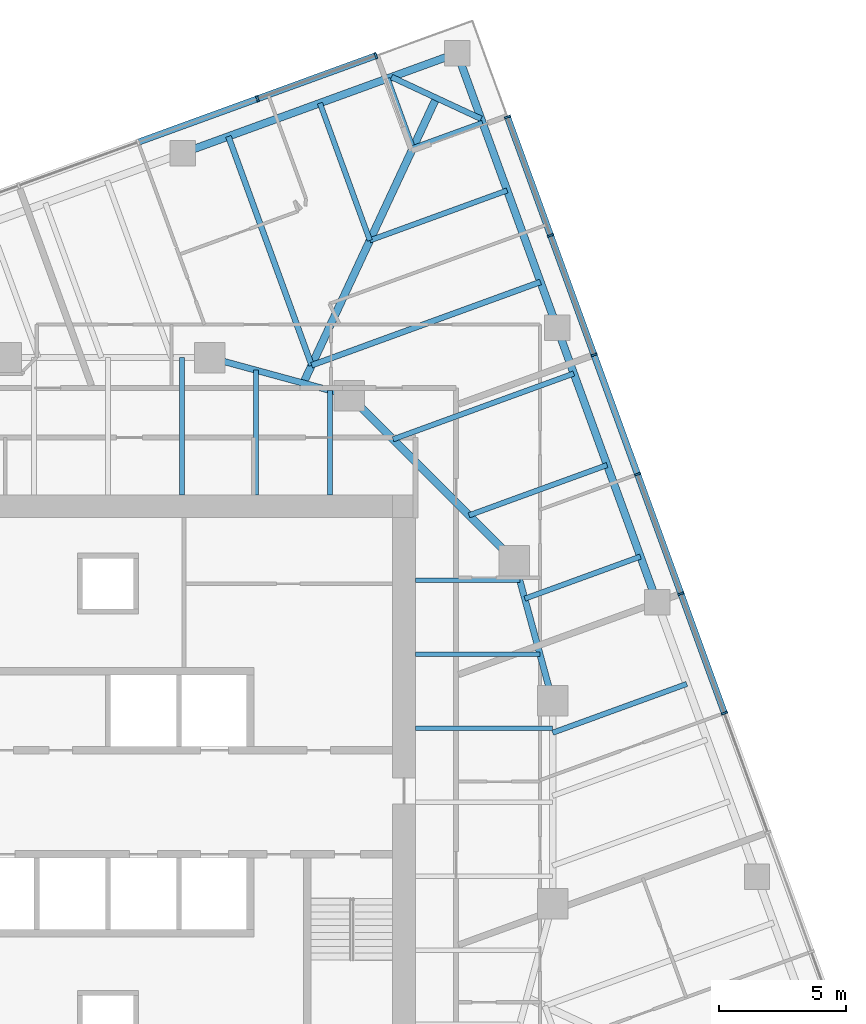
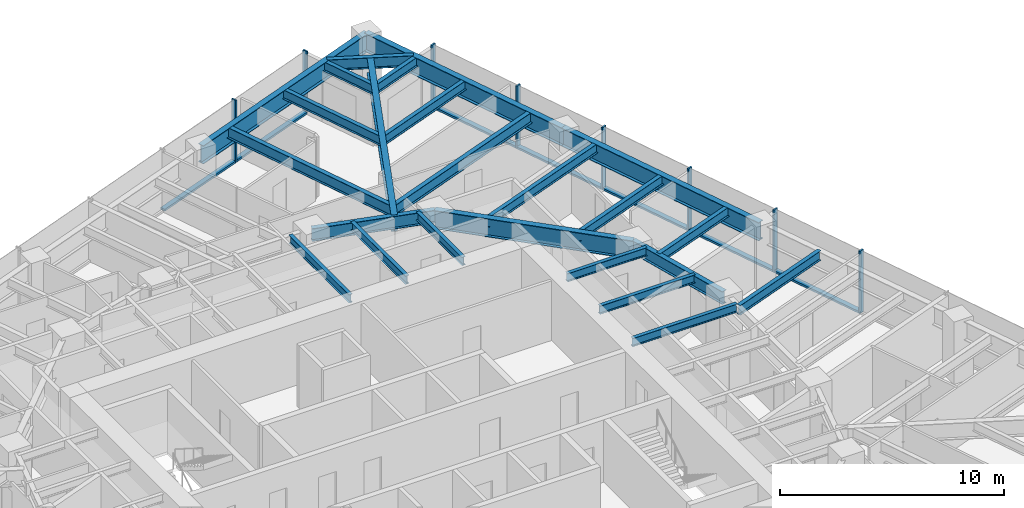
# One storey, part 5 of 13: 24 beams, 15 members, 2 elements without a shape of their own.
"""IFC4 building model written with IfcOpenShell, lengths in metres."""

from ifc_helpers import new_model, si_unit, direction, frame, origin, origin_2d, place, context, subcontext, project, spatial, rectangle, i_section, extrude, material, material_profile, profile_set, type_object, element, aggregate, save


model = new_model("IFC4")

# Units and contexts
model_context = context("Model", 3, precision=1e-05, world=origin(), true_north=direction((0.0, 1.0)))
body_context = subcontext(model_context, "Body", "Model", "MODEL_VIEW")
ifc_project = project(units=[si_unit("LENGTHUNIT", "METRE"), si_unit("AREAUNIT", "SQUARE_METRE"), si_unit("VOLUMEUNIT", "CUBIC_METRE"), si_unit("PLANEANGLEUNIT", "RADIAN"), si_unit("MASSUNIT", "GRAM", prefix="KILO")], contexts=[model_context])

# Site, building, storey
site_placement = place(None, origin())
site = spatial("IfcSite", under=ifc_project, at=site_placement, CompositionType="ELEMENT")
building_placement = place(site_placement, origin())
building = spatial("IfcBuilding", under=site, at=building_placement, Name="Torsade Residences", CompositionType="ELEMENT")
storey_placement = place(building_placement, frame((0.0, 0.0, 143.800048828125)))
storey = spatial("IfcBuildingStorey", under=building, at=storey_placement, Name="L39", CompositionType="ELEMENT", Elevation=143.800048828125)

# Beams
ifc_material_1 = material(Name="Steel grade 300", Category="steel")
ifc_material_profile_1 = material_profile(ifc_material_1, i_section(OverallWidth=0.300048828125, OverallDepth=0.89990234375, WebThickness=0.011962890625, FlangeThickness=0.02490234375, at=origin_2d()), Name="900WB175")
ifc_profile_set_1 = profile_set([ifc_material_profile_1], Name="Steel grade 300")
beam_type_1 = type_object("IfcBeamType", Name="CORNER GIRDER 900WB175", PredefinedType="BEAM", material=ifc_profile_set_1)
beam_1_placement = place(storey_placement, frame((52.924560546875, 57.717041015625, 2.800048828125), z_axis=(-0.422616712682, -0.906308509373, 0.0), x_axis=(0.906308509373, -0.422616712682, 0.0)))
element("IfcBeam", 1, at=beam_1_placement, inside=storey, type_object=beam_type_1, Name="Corner girder 09 L40", PredefinedType="BEAM", context=body_context, shape_type="SweptSolid", body=[
    extrude(i_section(OverallWidth=0.300048828125, OverallDepth=0.89990234375, WebThickness=0.011962890625, FlangeThickness=0.02490234375, at=origin_2d()), origin(), (0.0, 0.0, 1.0), 12.3837890625),
])
ifc_material_2 = material(Name="Steel grade 300", Category="steel")
ifc_material_profile_2 = material_profile(ifc_material_2, i_section(OverallWidth=0.22802734375, OverallDepth=0.60205078125, WebThickness=0.010498046875, FlangeThickness=0.014892578125, FilletRadius=0.013916015625, at=origin_2d()), Name="610UB101")
ifc_profile_set_2 = profile_set([ifc_material_profile_2], Name="Steel grade 300")
beam_type_2 = type_object("IfcBeamType", Name="CORNER TRIMMER 610UB101", PredefinedType="BEAM", material=ifc_profile_set_2)
beam_2_placement = place(storey_placement, frame((51.162353515625, 58.538818359375, 2.948974609375), z_axis=(0.906309798645, -0.422613947806, 0.0), x_axis=(0.422613947806, 0.906309798645, 0.0)))
element("IfcBeam", 2, at=beam_2_placement, inside=storey, type_object=beam_type_2, Name="Corner trimmer 09 L40", PredefinedType="BEAM", context=body_context, shape_type="SweptSolid", body=[
    extrude(i_section(OverallWidth=0.22802734375, OverallDepth=0.60205078125, WebThickness=0.010498046875, FlangeThickness=0.014892578125, FilletRadius=0.013916015625, at=origin_2d()), origin(), (0.0, 0.0, 1.0), 3.888916015625),
])
ifc_material_3 = material(Name="Steel grade 300", Category="steel")
ifc_material_profile_3 = material_profile(ifc_material_3, i_section(OverallWidth=0.300048828125, OverallDepth=1.0, WebThickness=0.01611328125, FlangeThickness=0.028076171875, at=origin_2d()), Name="1000WB215")
ifc_profile_set_3 = profile_set([ifc_material_profile_3], Name="Steel grade 300")
beam_type_3 = type_object("IfcBeamType", Name="EDGE BEAM 1000WB215", PredefinedType="SPANDREL", material=ifc_profile_set_3)
for number, where, z_axis, x_axis, name in (
    (3, (61.613037109375, 37.866455078125, 2.75), (-0.342031119628, 0.939688625666, 0.0), (-0.939688625666, -0.342031119628, 0.0), "Edge beam 07 L40"),
    (4, (57.6796875, 48.6728515625, 2.75), (-0.342005550448, 0.939697932031, 0.0), (-0.939697932031, -0.342005550448, 0.0), "Edge beam 08 L40"),
):
    element("IfcBeam", number, at=place(storey_placement, frame(where, z_axis=z_axis, x_axis=x_axis)), inside=storey, type_object=beam_type_3, Name=name, PredefinedType="SPANDREL", context=body_context, shape_type="SweptSolid", body=[
        extrude(i_section(OverallWidth=0.300048828125, OverallDepth=1.0, WebThickness=0.01611328125, FlangeThickness=0.028076171875, at=origin_2d()), origin(), (0.0, 0.0, 1.0), 11.5),
    ])
beam_3_placement = place(storey_placement, frame((53.74658203125, 59.4794921875, 2.75), z_axis=(-0.93969110915, -0.342024296483, 0.0), x_axis=(0.342024296483, -0.93969110915, 0.0)))
element("IfcBeam", 5, at=beam_3_placement, inside=storey, type_object=beam_type_3, Name="Edge beam 09 L40", PredefinedType="SPANDREL", context=body_context, shape_type="SweptSolid", body=[
    extrude(i_section(OverallWidth=0.300048828125, OverallDepth=1.0, WebThickness=0.01611328125, FlangeThickness=0.028076171875, at=origin_2d()), origin(), (0.0, 0.0, 1.0), 11.500244140625),
])
ifc_material_4 = material(Name="Steel grade 300", Category="steel")
ifc_material_profile_4 = material_profile(ifc_material_4, i_section(OverallWidth=0.18994140625, OverallDepth=0.4541015625, WebThickness=0.008544921875, FlangeThickness=0.0126953125, FilletRadius=0.011474609375, at=origin_2d()), Name="460UB67.1")
ifc_profile_set_4 = profile_set([ifc_material_profile_4], Name="Steel grade 300")
beam_type_4 = type_object("IfcBeamType", Name="INNER FLOOR BEAM 460UB67.1", PredefinedType="JOIST", material=ifc_profile_set_4)
beam_4_placement = place(storey_placement, frame((42.91259765625, 42.10009765625, 3.02294921875), z_axis=(0.0, 1.0, 0.0), x_axis=(-1.0, 0.0, 0.0)))
element("IfcBeam", 6, at=beam_4_placement, inside=storey, type_object=beam_type_4, Name="Inner floor beam IN05 L40", PredefinedType="JOIST", context=body_context, shape_type="SweptSolid", body=[
    extrude(i_section(OverallWidth=0.18994140625, OverallDepth=0.4541015625, WebThickness=0.008544921875, FlangeThickness=0.0126953125, FilletRadius=0.011474609375, at=origin_2d()), origin(), (0.0, 0.0, 1.0), 5.39990234375),
])
beam_5_placement = place(storey_placement, frame((45.824951171875, 42.10009765625, 3.02294921875), z_axis=(0.0, 1.0, 0.0), x_axis=(-1.0, 0.0, 0.0)))
element("IfcBeam", 7, at=beam_5_placement, inside=storey, type_object=beam_type_4, Name="Inner floor beam IN06 L40", PredefinedType="JOIST", context=body_context, shape_type="SweptSolid", body=[
    extrude(i_section(OverallWidth=0.18994140625, OverallDepth=0.4541015625, WebThickness=0.008544921875, FlangeThickness=0.0126953125, FilletRadius=0.011474609375, at=origin_2d()), origin(), (0.0, 0.0, 1.0), 4.902099609375),
])
beam_6_placement = place(storey_placement, frame((48.737548828125, 42.10009765625, 3.02294921875), z_axis=(0.0, 1.0, 0.0), x_axis=(-1.0, 0.0, 0.0)))
element("IfcBeam", 8, at=beam_6_placement, inside=storey, type_object=beam_type_4, Name="Inner floor beam IN07 L40", PredefinedType="JOIST", context=body_context, shape_type="SweptSolid", body=[
    extrude(i_section(OverallWidth=0.18994140625, OverallDepth=0.4541015625, WebThickness=0.008544921875, FlangeThickness=0.0126953125, FilletRadius=0.011474609375, at=origin_2d()), origin(), (0.0, 0.0, 1.0), 4.10791015625),
])
beam_7_placement = place(storey_placement, frame((52.10009765625, 32.91259765625, 3.02294921875), z_axis=(1.0, 0.0, 0.0), x_axis=(0.0, 1.0, 0.0)))
element("IfcBeam", 9, at=beam_7_placement, inside=storey, type_object=beam_type_4, Name="Inner floor beam IE05 L40", PredefinedType="JOIST", context=body_context, shape_type="SweptSolid", body=[
    extrude(i_section(OverallWidth=0.18994140625, OverallDepth=0.4541015625, WebThickness=0.008544921875, FlangeThickness=0.0126953125, FilletRadius=0.011474609375, at=origin_2d()), origin(), (0.0, 0.0, 1.0), 5.39990234375),
])
beam_8_placement = place(storey_placement, frame((52.10009765625, 35.824951171875, 3.02294921875), z_axis=(1.0, 0.0, 0.0), x_axis=(0.0, 1.0, 0.0)))
element("IfcBeam", 10, at=beam_8_placement, inside=storey, type_object=beam_type_4, Name="Inner floor beam IE06 L40", PredefinedType="JOIST", context=body_context, shape_type="SweptSolid", body=[
    extrude(i_section(OverallWidth=0.18994140625, OverallDepth=0.4541015625, WebThickness=0.008544921875, FlangeThickness=0.0126953125, FilletRadius=0.011474609375, at=origin_2d()), origin(), (0.0, 0.0, 1.0), 4.902099609375),
])
beam_9_placement = place(storey_placement, frame((52.10009765625, 38.737548828125, 3.02294921875), z_axis=(1.0, 0.0, 0.0), x_axis=(0.0, 1.0, 0.0)))
element("IfcBeam", 11, at=beam_9_placement, inside=storey, type_object=beam_type_4, Name="Inner floor beam IE07 L40", PredefinedType="JOIST", context=body_context, shape_type="SweptSolid", body=[
    extrude(i_section(OverallWidth=0.18994140625, OverallDepth=0.4541015625, WebThickness=0.008544921875, FlangeThickness=0.0126953125, FilletRadius=0.011474609375, at=origin_2d()), origin(), (0.0, 0.0, 1.0), 4.10791015625),
])

# Curtain wall, members
ifc_material_5 = material(Name="Aluminium and glass", Category="aluminium")
curtain_wall_type = type_object("IfcCurtainWallType", Name="FRITTED GLASS CURTAIN WALL MID ZONE", PredefinedType="NOTDEFINED", material=ifc_material_5)
curtain_wall_1_placement = place(storey_placement, origin())
curtain_wall_1 = element("IfcCurtainWall", 12, at=curtain_wall_1_placement, inside=storey, type_object=curtain_wall_type, Name="Curtain wall L39 face 4", PredefinedType="NOTDEFINED")
ifc_material_6 = material(Name="Aluminium mullion", Category="aluminium")
ifc_material_profile_5 = material_profile(ifc_material_6, rectangle(XDim=0.25, YDim=0.080078125, at=origin_2d()), Name="MID ZONE CURTAIN WALL MULLION 250x80")
ifc_profile_set_5 = profile_set([ifc_material_profile_5], Name="Aluminium mullion")
member_type_1 = type_object("IfcMemberType", Name="MID ZONE CURTAIN WALL MULLION 250x80", PredefinedType="MULLION", material=ifc_profile_set_5)
member_1_placement = place(storey_placement, frame((64.2626953125, 33.510009765625, 0.0), z_axis=(0.0, 0.0, 1.0), x_axis=(-0.939692619132, -0.342020147869, 0.0)))
member_1 = element("IfcMember", 13, at=member_1_placement, type_object=member_type_1, Name="Mullion 4", PredefinedType="MULLION", context=body_context, shape_type="SweptSolid", body=[
    extrude(rectangle(XDim=0.25, YDim=0.080078125, at=origin_2d()), origin(), (0.0, 0.0, 1.0), 3.39990234375),
])
member_2_placement = place(storey_placement, frame((62.552734375, 38.20849609375, 0.0), z_axis=(0.0, 0.0, 1.0), x_axis=(-0.939692619132, -0.342020147869, 0.0)))
member_2 = element("IfcMember", 14, at=member_2_placement, type_object=member_type_1, Name="Mullion 5", PredefinedType="MULLION", context=body_context, shape_type="SweptSolid", body=[
    extrude(rectangle(XDim=0.25, YDim=0.080078125, at=origin_2d()), origin(), (0.0, 0.0, 1.0), 3.39990234375),
])
member_3_placement = place(storey_placement, frame((60.842529296875, 42.906982421875, 0.0), z_axis=(0.0, 0.0, 1.0), x_axis=(-0.939692619132, -0.342020147869, 0.0)))
member_3 = element("IfcMember", 15, at=member_3_placement, type_object=member_type_1, Name="Mullion 6", PredefinedType="MULLION", context=body_context, shape_type="SweptSolid", body=[
    extrude(rectangle(XDim=0.25, YDim=0.080078125, at=origin_2d()), origin(), (0.0, 0.0, 1.0), 3.39990234375),
])
member_4_placement = place(storey_placement, frame((59.13232421875, 47.60546875, 0.0), z_axis=(0.0, 0.0, 1.0), x_axis=(-0.939692619132, -0.342020147869, 0.0)))
member_4 = element("IfcMember", 16, at=member_4_placement, type_object=member_type_1, Name="Mullion 7", PredefinedType="MULLION", context=body_context, shape_type="SweptSolid", body=[
    extrude(rectangle(XDim=0.25, YDim=0.080078125, at=origin_2d()), origin(), (0.0, 0.0, 1.0), 3.39990234375),
])
member_5_placement = place(storey_placement, frame((57.42236328125, 52.303955078125, 0.0), z_axis=(0.0, 0.0, 1.0), x_axis=(-0.939692619132, -0.342020147869, 0.0)))
member_5 = element("IfcMember", 17, at=member_5_placement, type_object=member_type_1, Name="Mullion 8", PredefinedType="MULLION", context=body_context, shape_type="SweptSolid", body=[
    extrude(rectangle(XDim=0.25, YDim=0.080078125, at=origin_2d()), origin(), (0.0, 0.0, 1.0), 3.39990234375),
])
member_6_placement = place(storey_placement, frame((55.725830078125, 56.96484375, 0.0), z_axis=(0.0, 0.0, 1.0), x_axis=(-0.939692619132, -0.342020147869, 0.0)))
member_6 = element("IfcMember", 18, at=member_6_placement, type_object=member_type_1, Name="Mullion 9", PredefinedType="MULLION", context=body_context, shape_type="SweptSolid", body=[
    extrude(rectangle(XDim=0.25, YDim=0.080078125, at=origin_2d()), origin(), (0.0, 0.0, 1.0), 3.39990234375),
])

curtain_wall_2_placement = place(storey_placement, origin())
curtain_wall_2 = element("IfcCurtainWall", 19, at=curtain_wall_2_placement, inside=storey, type_object=curtain_wall_type, Name="Curtain wall L39 face 7", PredefinedType="NOTDEFINED")
member_7_placement = place(storey_placement, frame((50.5478515625, 59.37939453125, 0.0), z_axis=(0.0, 0.0, 1.0), x_axis=(0.342020147869, -0.939692619132, 0.0)))
member_7 = element("IfcMember", 20, at=member_7_placement, type_object=member_type_1, Name="Mullion 1", PredefinedType="MULLION", context=body_context, shape_type="SweptSolid", body=[
    extrude(rectangle(XDim=0.25, YDim=0.080078125, at=origin_2d()), origin(), (0.0, 0.0, 1.0), 3.39990234375),
])
member_8_placement = place(storey_placement, frame((45.886962890625, 57.682861328125, 0.0), z_axis=(0.0, 0.0, 1.0), x_axis=(0.342020147869, -0.939692619132, 0.0)))
member_8 = element("IfcMember", 21, at=member_8_placement, type_object=member_type_1, Name="Mullion 2", PredefinedType="MULLION", context=body_context, shape_type="SweptSolid", body=[
    extrude(rectangle(XDim=0.25, YDim=0.080078125, at=origin_2d()), origin(), (0.0, 0.0, 1.0), 3.39990234375),
])

# Member
ifc_material_7 = material(Name="Aluminium transom", Category="aluminium")
ifc_material_profile_6 = material_profile(ifc_material_7, rectangle(XDim=0.25, YDim=0.110107421875, at=origin_2d()), Name="MID ZONE CURTAIN WALL TRANSOM 250x110")
ifc_profile_set_6 = profile_set([ifc_material_profile_6], Name="Aluminium transom")
member_type_2 = type_object("IfcMemberType", Name="MID ZONE CURTAIN WALL TRANSOM 250x110", PredefinedType="USERDEFINED", material=ifc_profile_set_6)
member_9_placement = place(storey_placement, frame((64.2490234375, 33.547607421875, 0.054931640625), z_axis=(-0.341998044792, 0.9397006637, 0.0), x_axis=(-0.9397006637, -0.341998044792, 0.0)))
member_9 = element("IfcMember", 22, at=member_9_placement, type_object=member_type_2, Name="Transom 4.1", ObjectType="TRANSOM", PredefinedType="USERDEFINED", context=body_context, shape_type="SweptSolid", body=[
    extrude(rectangle(XDim=0.25, YDim=0.110107421875, at=origin_2d()), origin(), (0.0, 0.0, 1.0), 4.919921875),
])

member_10_placement = place(storey_placement, frame((62.5390625, 38.24609375, 0.054931640625), z_axis=(-0.342041862168, 0.93968471549, 0.0), x_axis=(-0.93968471549, -0.342041862168, 0.0)))
member_10 = element("IfcMember", 23, at=member_10_placement, type_object=member_type_2, Name="Transom 5.1", ObjectType="TRANSOM", PredefinedType="USERDEFINED", context=body_context, shape_type="SweptSolid", body=[
    extrude(rectangle(XDim=0.25, YDim=0.110107421875, at=origin_2d()), origin(), (0.0, 0.0, 1.0), 4.920166015625),
])

member_11_placement = place(storey_placement, frame((60.828857421875, 42.944580078125, 0.054931640625), z_axis=(-0.342041862168, 0.93968471549, 0.0), x_axis=(-0.93968471549, -0.342041862168, 0.0)))
member_11 = element("IfcMember", 24, at=member_11_placement, type_object=member_type_2, Name="Transom 6.1", ObjectType="TRANSOM", PredefinedType="USERDEFINED", context=body_context, shape_type="SweptSolid", body=[
    extrude(rectangle(XDim=0.25, YDim=0.110107421875, at=origin_2d()), origin(), (0.0, 0.0, 1.0), 4.920166015625),
])

member_12_placement = place(storey_placement, frame((59.11865234375, 47.64306640625, 0.054931640625), z_axis=(-0.341998044792, 0.9397006637, 0.0), x_axis=(-0.9397006637, -0.341998044792, 0.0)))
member_12 = element("IfcMember", 25, at=member_12_placement, type_object=member_type_2, Name="Transom 7.1", ObjectType="TRANSOM", PredefinedType="USERDEFINED", context=body_context, shape_type="SweptSolid", body=[
    extrude(rectangle(XDim=0.25, YDim=0.110107421875, at=origin_2d()), origin(), (0.0, 0.0, 1.0), 4.919921875),
])

member_13_placement = place(storey_placement, frame((57.40869140625, 52.341552734375, 0.054931640625), z_axis=(-0.342044311564, 0.939683823915, 0.0), x_axis=(-0.939683823915, -0.342044311564, 0.0)))
member_13 = element("IfcMember", 26, at=member_13_placement, type_object=member_type_2, Name="Transom 8.1", ObjectType="TRANSOM", PredefinedType="USERDEFINED", context=body_context, shape_type="SweptSolid", body=[
    extrude(rectangle(XDim=0.25, YDim=0.110107421875, at=origin_2d()), origin(), (0.0, 0.0, 1.0), 4.880126953125),
])

aggregate(curtain_wall_1, [member_1, member_2, member_3, member_4, member_5, member_6, member_9, member_10, member_11, member_12, member_13])

member_14_placement = place(storey_placement, frame((50.51025390625, 59.36572265625, 0.054931640625), z_axis=(-0.939683823915, -0.342044311564, 0.0), x_axis=(0.342044311564, -0.939683823915, 0.0)))
member_14 = element("IfcMember", 27, at=member_14_placement, type_object=member_type_2, Name="Transom 1.1", ObjectType="TRANSOM", PredefinedType="USERDEFINED", context=body_context, shape_type="SweptSolid", body=[
    extrude(rectangle(XDim=0.25, YDim=0.110107421875, at=origin_2d()), origin(), (0.0, 0.0, 1.0), 4.880126953125),
])

member_15_placement = place(storey_placement, frame((45.849365234375, 57.669189453125, 0.054931640625), z_axis=(-0.9397006637, -0.341998044792, 0.0), x_axis=(0.341998044792, -0.9397006637, 0.0)))
member_15 = element("IfcMember", 28, at=member_15_placement, type_object=member_type_2, Name="Transom 2.1", ObjectType="TRANSOM", PredefinedType="USERDEFINED", context=body_context, shape_type="SweptSolid", body=[
    extrude(rectangle(XDim=0.25, YDim=0.110107421875, at=origin_2d()), origin(), (0.0, 0.0, 1.0), 4.919921875),
])

aggregate(curtain_wall_2, [member_7, member_8, member_14, member_15])

# Beams
ifc_material_8 = material(Name="Steel grade 300", Category="steel")
ifc_material_profile_7 = material_profile(ifc_material_8, i_section(OverallWidth=0.300048828125, OverallDepth=1.0, WebThickness=0.01611328125, FlangeThickness=0.028076171875, at=origin_2d()), Name="1000WB215")
ifc_profile_set_7 = profile_set([ifc_material_profile_7], Name="Steel grade 300")
beam_type_5 = type_object("IfcBeamType", Name="RING CORNER GIRDER 1000WB215", PredefinedType="BEAM", material=ifc_profile_set_7)
beam_10_placement = place(storey_placement, frame((56.0, 39.5, 2.75), z_axis=(-0.707106781187, 0.707106781187, 0.0), x_axis=(-0.707106781187, -0.707106781187, 0.0)))
element("IfcBeam", 29, at=beam_10_placement, inside=storey, type_object=beam_type_5, Name="Ring girder IR03 L40", PredefinedType="BEAM", context=body_context, shape_type="SweptSolid", body=[
    extrude(i_section(OverallWidth=0.300048828125, OverallDepth=1.0, WebThickness=0.01611328125, FlangeThickness=0.028076171875, at=origin_2d()), origin(), (0.0, 0.0, 1.0), 9.1923828125),
])
ifc_material_9 = material(Name="Steel grade 300", Category="steel")
ifc_material_profile_8 = material_profile(ifc_material_9, i_section(OverallWidth=0.25, OverallDepth=0.699951171875, WebThickness=0.010009765625, FlangeThickness=0.02001953125, at=origin_2d()), Name="700WB130")
ifc_profile_set_8 = profile_set([ifc_material_profile_8], Name="Steel grade 300")
beam_type_6 = type_object("IfcBeamType", Name="RING GIRDER 700WB130", PredefinedType="BEAM", material=ifc_profile_set_8)
for number, where, z_axis, x_axis, name in (
    (30, (57.5, 34.0, 2.89990234375), (-0.263117405792, 0.964763821238, 0.0), (-0.964763821238, -0.263117405792, 0.0), "Ring girder IR02 L40"),
    (31, (49.5, 46.0, 2.89990234375), (-0.964763821238, 0.263117405792, 0.0), (-0.263117405792, -0.964763821238, 0.0), "Ring girder IR04 L40"),
):
    element("IfcBeam", number, at=place(storey_placement, frame(where, z_axis=z_axis, x_axis=x_axis)), inside=storey, type_object=beam_type_6, Name=name, PredefinedType="BEAM", context=body_context, shape_type="SweptSolid", body=[
        extrude(i_section(OverallWidth=0.25, OverallDepth=0.699951171875, WebThickness=0.010009765625, FlangeThickness=0.02001953125, at=origin_2d()), origin(), (0.0, 0.0, 1.0), 5.700927734375),
    ])
ifc_material_10 = material(Name="Steel grade 300", Category="steel")
ifc_material_profile_9 = material_profile(ifc_material_10, i_section(OverallWidth=0.208984375, OverallDepth=0.528076171875, WebThickness=0.009521484375, FlangeThickness=0.01318359375, FilletRadius=0.013916015625, at=origin_2d()), Name="530UB82.0")
ifc_profile_set_9 = profile_set([ifc_material_profile_9], Name="Steel grade 300")
beam_type_7 = type_object("IfcBeamType", Name="SECONDARY BEAM 530UB82.0", PredefinedType="JOIST", material=ifc_profile_set_9)
beam_11_placement = place(storey_placement, frame((62.781494140625, 34.65576171875, 2.98583984375), z_axis=(-0.939703343336, -0.341990681925, 0.0), x_axis=(0.341990681925, -0.939703343336, 0.0)))
element("IfcBeam", 32, at=beam_11_placement, inside=storey, type_object=beam_type_7, Name="Floor beam FE06 L40", PredefinedType="JOIST", context=body_context, shape_type="SweptSolid", body=[
    extrude(i_section(OverallWidth=0.208984375, OverallDepth=0.528076171875, WebThickness=0.009521484375, FlangeThickness=0.01318359375, FilletRadius=0.013916015625, at=origin_2d()), origin(), (0.0, 0.0, 1.0), 5.620361328125),
])
beam_12_placement = place(storey_placement, frame((60.957275390625, 39.66748046875, 2.98583984375), z_axis=(-0.939694777187, -0.342014218604, 0.0), x_axis=(0.342014218604, -0.939694777187, 0.0)))
element("IfcBeam", 33, at=beam_12_placement, inside=storey, type_object=beam_type_7, Name="Floor beam FE07 L40", PredefinedType="JOIST", context=body_context, shape_type="SweptSolid", body=[
    extrude(i_section(OverallWidth=0.208984375, OverallDepth=0.528076171875, WebThickness=0.009521484375, FlangeThickness=0.01318359375, FilletRadius=0.013916015625, at=origin_2d()), origin(), (0.0, 0.0, 1.0), 4.84326171875),
])
beam_13_placement = place(storey_placement, frame((59.646240234375, 43.269775390625, 2.98583984375), z_axis=(-0.939687428295, -0.342034409239, 0.0), x_axis=(0.342034409239, -0.939687428295, 0.0)))
element("IfcBeam", 34, at=beam_13_placement, inside=storey, type_object=beam_type_7, Name="Floor beam FE08 L40", PredefinedType="JOIST", context=body_context, shape_type="SweptSolid", body=[
    extrude(i_section(OverallWidth=0.208984375, OverallDepth=0.528076171875, WebThickness=0.009521484375, FlangeThickness=0.01318359375, FilletRadius=0.013916015625, at=origin_2d()), origin(), (0.0, 0.0, 1.0), 5.785888671875),
])
beam_14_placement = place(storey_placement, frame((58.335205078125, 46.871826171875, 2.98583984375), z_axis=(-0.939689847531, -0.342027762686, 0.0), x_axis=(0.342027762686, -0.939689847531, 0.0)))
element("IfcBeam", 35, at=beam_14_placement, inside=storey, type_object=beam_type_7, Name="Floor beam FE09 L40", PredefinedType="JOIST", context=body_context, shape_type="SweptSolid", body=[
    extrude(i_section(OverallWidth=0.208984375, OverallDepth=0.528076171875, WebThickness=0.009521484375, FlangeThickness=0.01318359375, FilletRadius=0.013916015625, at=origin_2d()), origin(), (0.0, 0.0, 1.0), 7.573486328125),
])
beam_15_placement = place(storey_placement, frame((55.713134765625, 54.076171875, 2.98583984375), z_axis=(-0.939697932031, -0.342005550448, 0.0), x_axis=(0.342005550448, -0.939697932031, 0.0)))
element("IfcBeam", 36, at=beam_15_placement, inside=storey, type_object=beam_type_7, Name="Floor beam FE11 L40", PredefinedType="JOIST", context=body_context, shape_type="SweptSolid", body=[
    extrude(i_section(OverallWidth=0.208984375, OverallDepth=0.528076171875, WebThickness=0.009521484375, FlangeThickness=0.01318359375, FilletRadius=0.013916015625, at=origin_2d()), origin(), (0.0, 0.0, 1.0), 5.75),
])
for number, where, z_axis, x_axis, name in (
    (37, (54.744140625, 56.738525390625, 2.98583984375), (-0.939700524495, -0.341998427281, 0.0), (0.341998427281, -0.939700524495, 0.0), "Floor beam FE12 L40"),
    (38, (51.005615234375, 58.48193359375, 2.98583984375), (0.341998427281, -0.939700524495, 0.0), (0.939700524495, 0.341998427281, 0.0), "Floor beam FN01 L40"),
):
    element("IfcBeam", number, at=place(storey_placement, frame(where, z_axis=z_axis, x_axis=x_axis)), inside=storey, type_object=beam_type_7, Name=name, PredefinedType="JOIST", context=body_context, shape_type="SweptSolid", body=[
        extrude(i_section(OverallWidth=0.208984375, OverallDepth=0.528076171875, WebThickness=0.009521484375, FlangeThickness=0.01318359375, FilletRadius=0.013916015625, at=origin_2d()), origin(), (0.0, 0.0, 1.0), 2.916748046875),
    ])
beam_16_placement = place(storey_placement, frame((48.34326171875, 57.5126953125, 2.98583984375), z_axis=(0.342019196443, -0.939692965423, 0.0), x_axis=(0.939692965423, 0.342019196443, 0.0)))
element("IfcBeam", 39, at=beam_16_placement, inside=storey, type_object=beam_type_7, Name="Floor beam FN02 L40", PredefinedType="JOIST", context=body_context, shape_type="SweptSolid", body=[
    extrude(i_section(OverallWidth=0.208984375, OverallDepth=0.528076171875, WebThickness=0.009521484375, FlangeThickness=0.01318359375, FilletRadius=0.013916015625, at=origin_2d()), origin(), (0.0, 0.0, 1.0), 5.749755859375),
])
ifc_material_11 = material(Name="Steel grade 300", Category="steel")
ifc_material_profile_10 = material_profile(ifc_material_11, i_section(OverallWidth=0.22900390625, OverallDepth=0.612060546875, WebThickness=0.011962890625, FlangeThickness=0.01953125, FilletRadius=0.013916015625, at=origin_2d()), Name="610UB125")
ifc_profile_set_10 = profile_set([ifc_material_profile_10], Name="Steel grade 300")
beam_type_8 = type_object("IfcBeamType", Name="SECONDARY BEAM 610UB125", PredefinedType="JOIST", material=ifc_profile_set_10)
for number, where, z_axis, x_axis, name in (
    (40, (57.024169921875, 50.47412109375, 2.94384765625), (-0.939687757725, -0.342033504181, 0.0), (0.342033504181, -0.939687757725, 0.0), "Floor beam FE10 L40"),
    (41, (44.740966796875, 56.20166015625, 2.94384765625), (0.342033504181, -0.939687757725, 0.0), (0.939687757725, 0.342033504181, 0.0), "Floor beam FN03 L40"),
):
    element("IfcBeam", number, at=place(storey_placement, frame(where, z_axis=z_axis, x_axis=x_axis)), inside=storey, type_object=beam_type_8, Name=name, PredefinedType="JOIST", context=body_context, shape_type="SweptSolid", body=[
        extrude(i_section(OverallWidth=0.22900390625, OverallDepth=0.612060546875, WebThickness=0.011962890625, FlangeThickness=0.01953125, FilletRadius=0.013916015625, at=origin_2d()), origin(), (0.0, 0.0, 1.0), 9.583251953125),
    ])

save(model, "model.ifc")
